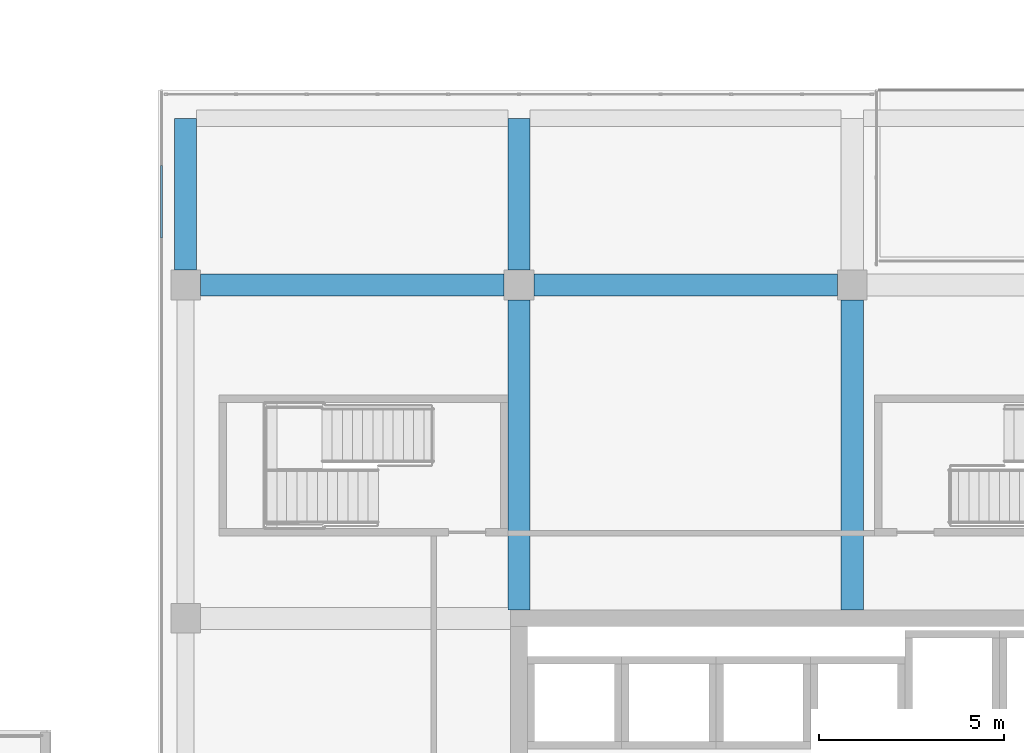
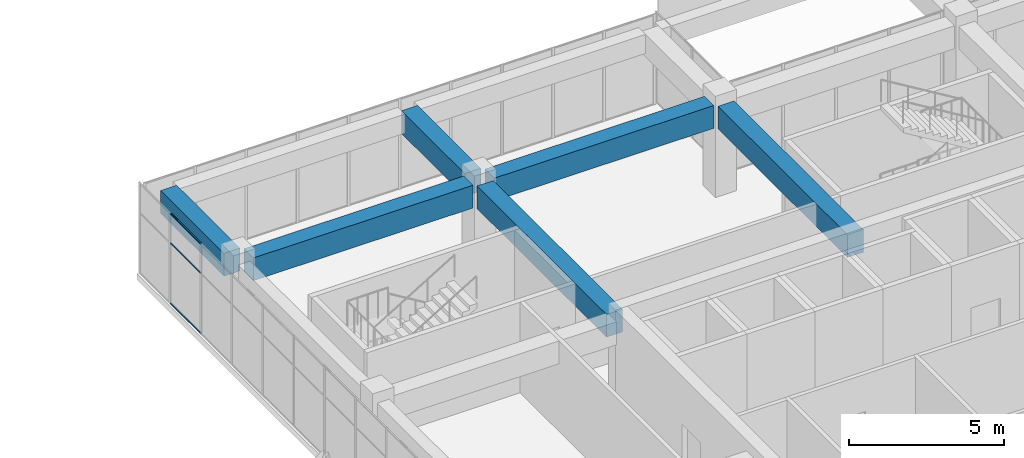
# One storey, part 38 of 72: 6 beams, 3 members, 1 element without a shape of its own.
"""IFC4 building model written with IfcOpenShell, lengths in metres."""

import ifcopenshell
import ifcopenshell.guid

model = None  # the IFC model being written
_history = None  # IfcOwnerHistory: only IFC2X3 demands one
_inside = {}  # id of a spatial element -> (the spatial element, [elements in it])
_under = {}  # id of a project, library or spatial element -> (it, [spatial elements below it])
_declared = {}  # id of a project -> (the project, [libraries it declares])
_typed = {}  # id of a type object -> (the type object, [elements of that type])
_made_of = {}  # id of a material, layer set ... -> (it, [elements and type objects made of it])


def new_model(schema):
    """Start an empty IFC model of exactly this schema.

    Asked for "IFC4X3", IfcOpenShell would pick the latest addendum, in which some entities
    have other attributes; the version numbers below select the first issue.
    IFC2X3 requires an IfcOwnerHistory on every rooted entity: one is made here for all.
    """
    global model, _history
    if schema == "IFC4X3":
        model = ifcopenshell.file(schema_version=(4, 3, 0, 0))
    else:
        model = ifcopenshell.file(schema=schema)
    _inside.clear()
    _under.clear()
    _declared.clear()
    _typed.clear()
    _made_of.clear()
    _history = None
    if model.schema == "IFC2X3":
        org = make("IfcOrganization", Name="unknown")
        user = make(
            "IfcPersonAndOrganization",
            ThePerson=make("IfcPerson", FamilyName="unknown"),
            TheOrganization=org,
        )
        app = make(
            "IfcApplication",
            ApplicationDeveloper=org,
            Version="unknown",
            ApplicationFullName="unknown",
            ApplicationIdentifier="unknown",
        )
        _history = make(
            "IfcOwnerHistory",
            OwningUser=user,
            OwningApplication=app,
            ChangeAction="ADDED",
            CreationDate=0,
        )
    return model


def make(cls, **values):
    """One entity of the class cls with the attributes given. An attribute that is None is left unset."""
    return model.create_entity(
        cls, **{name: value for name, value in values.items() if value is not None}
    )


def rooted(cls, **values):
    """An entity with a GlobalId (a new one), such as an element, a storey or a relation."""
    return make(cls, GlobalId=ifcopenshell.guid.new(), OwnerHistory=_history, **values)


def si_unit(unit_type, name, prefix=None):
    """IfcSIUnit, for example si_unit("LENGTHUNIT", "METRE", prefix="MILLI")."""
    return make("IfcSIUnit", UnitType=unit_type, Prefix=prefix, Name=name)


def assignment(units):
    """IfcUnitAssignment: the units of a project."""
    return None if units is None else make("IfcUnitAssignment", Units=units)


def point(xyz):
    """IfcCartesianPoint."""
    return None if xyz is None else make("IfcCartesianPoint", Coordinates=xyz)


def direction(xyz):
    """IfcDirection."""
    return None if xyz is None else make("IfcDirection", DirectionRatios=xyz)


def frame(location, z_axis=None, x_axis=None):
    """IfcAxis2Placement3D, a coordinate frame: its origin and axes. An axis left out is left unset."""
    return make(
        "IfcAxis2Placement3D",
        Location=point(location),
        Axis=direction(z_axis),
        RefDirection=direction(x_axis),
    )


def frame_2d(location, x_axis=None):
    """IfcAxis2Placement2D, a coordinate frame in the plane: its origin and x axis."""
    return make(
        "IfcAxis2Placement2D", Location=point(location), RefDirection=direction(x_axis)
    )


def origin():
    """The frame at (0, 0, 0) with its axes left unset."""
    return frame((0.0, 0.0, 0.0))


def origin_2d():
    """The frame at (0, 0) in the plane with its x axis left unset."""
    return frame_2d((0.0, 0.0))


def place(relative_to, where):
    """IfcLocalPlacement: puts the frame where relative to a parent placement (None: the world)."""
    return make(
        "IfcLocalPlacement", PlacementRelTo=relative_to, RelativePlacement=where
    )


def context(
    kind, dimensions, precision=None, world=None, true_north=None, identifier=None
):
    """IfcGeometricRepresentationContext, for example the 3D "Model" context."""
    return make(
        "IfcGeometricRepresentationContext",
        ContextIdentifier=identifier,
        ContextType=kind,
        CoordinateSpaceDimension=dimensions,
        Precision=precision,
        WorldCoordinateSystem=world,
        TrueNorth=true_north,
    )


def subcontext(parent, identifier, kind, view, scale=None):
    """IfcGeometricRepresentationSubContext, for example "Body" below "Model"."""
    return make(
        "IfcGeometricRepresentationSubContext",
        ContextIdentifier=identifier,
        ContextType=kind,
        ParentContext=parent,
        TargetScale=scale,
        TargetView=view,
    )


def project(units=None, contexts=None):
    """IfcProject with its units and contexts."""
    return rooted(
        "IfcProject",
        Name="project",
        RepresentationContexts=contexts,
        UnitsInContext=assignment(units),
    )


def spatial(cls, under=None, at=None, **own):
    """A site, building, storey or space (cls), placed at a placement, below another one or the project."""
    s = rooted(cls, ObjectPlacement=at, **own)
    if under is not None:
        _under.setdefault(under.id(), (under, []))[1].append(s)
    return s


def profile(cls, at=None, kind="AREA", **sizes):
    """A parametric profile (cls). Its sizes go by their IFC names, for example OverallWidth=200.0."""
    return make(cls, ProfileType=kind, Position=at, **sizes)


def rectangle(**sizes):
    """IfcRectangleProfileDef."""
    return profile("IfcRectangleProfileDef", **sizes)


def hollow_rectangle(**sizes):
    """IfcRectangleHollowProfileDef."""
    return profile("IfcRectangleHollowProfileDef", **sizes)


def extrude(swept, where, along, depth):
    """IfcExtrudedAreaSolid: the profile swept, set in the frame where, extruded along a direction by depth."""
    return make(
        "IfcExtrudedAreaSolid",
        SweptArea=swept,
        Position=where,
        ExtrudedDirection=direction(along),
        Depth=depth,
    )


def shape(context_of_items, identifier, shape_type, items):
    """IfcShapeRepresentation: the items that make up one representation, for example the "Body"."""
    return make(
        "IfcShapeRepresentation",
        ContextOfItems=context_of_items,
        RepresentationIdentifier=identifier,
        RepresentationType=shape_type,
        Items=items,
    )


def material(Name=None, Category=None):
    """IfcMaterial."""
    return make("IfcMaterial", Name=Name, Category=Category)


def layer(
    of_material, thickness, ventilated=None, Name=None, Category=None, Priority=None
):
    """IfcMaterialLayer: one layer of a wall or slab, of a material (None: an air gap)."""
    return make(
        "IfcMaterialLayer",
        Material=of_material,
        LayerThickness=thickness,
        IsVentilated=ventilated,
        Name=Name,
        Category=Category,
        Priority=Priority,
    )


def layer_set(layers, Name=None):
    """IfcMaterialLayerSet."""
    return make("IfcMaterialLayerSet", MaterialLayers=layers, LayerSetName=Name)


def material_profile(
    of_material, cross_section, Name=None, Category=None, Priority=None
):
    """IfcMaterialProfile: a cross section and its material."""
    return make(
        "IfcMaterialProfile",
        Name=Name,
        Material=of_material,
        Profile=cross_section,
        Priority=Priority,
        Category=Category,
    )


def profile_set(profiles, Name=None, composite=None):
    """IfcMaterialProfileSet."""
    return make(
        "IfcMaterialProfileSet",
        Name=Name,
        MaterialProfiles=profiles,
        CompositeProfile=composite,
    )


def made_of(thing, what):
    """Note that an element or type object is made of a material, layer set ...; save() writes the relation."""
    if what is not None:
        _made_of.setdefault(what.id(), (what, []))[1].append(thing)
    return thing


def type_object(cls, material=None, **own):
    """A type object (cls), such as IfcWallType, which elements share."""
    return made_of(rooted(cls, **own), material)


def element(
    cls,
    number,
    at=None,
    inside=None,
    cuts=None,
    type_object=None,
    material=None,
    context=None,
    identifier="Body",
    shape_type=None,
    held_by="IfcProductDefinitionShape",
    body=None,
    shapes=None,
    **own,
):
    """One element of the class cls, such as IfcWall. Its Tag is "e" and its number.

    at: its placement. inside: the storey or other place that contains it. cuts: it is an
    opening in that element (IfcRelVoidsElement). A single representation is given by context,
    identifier, shape_type and body (its items); several are given by shapes. held_by: the class
    of the entity that holds the representations. save() writes the other relations.
    """
    e = rooted(cls, Tag="e%d" % number, ObjectPlacement=at, **own)
    if body is not None:
        shapes = [shape(context, identifier, shape_type, body)]
    if shapes is not None:
        e.Representation = make(held_by, Representations=shapes)
    if inside is not None:
        _inside.setdefault(inside.id(), (inside, []))[1].append(e)
    if cuts is not None:
        rooted(
            "IfcRelVoidsElement", RelatingBuildingElement=cuts, RelatedOpeningElement=e
        )
    if type_object is not None:
        _typed.setdefault(type_object.id(), (type_object, []))[1].append(e)
    return made_of(e, material)


def aggregate(whole, parts):
    """IfcRelAggregates: a whole, such as a stair, and the parts it consists of."""
    return rooted("IfcRelAggregates", RelatingObject=whole, RelatedObjects=parts)


def save(model, path):
    """Write the relations noted so far, then the file.

    IfcRelAggregates (storeys below a building ...), IfcRelContainedInSpatialStructure (elements
    in a storey), IfcRelDefinesByType, IfcRelAssociatesMaterial and IfcRelDeclares: one each for
    every whole, place, type object, material and project.
    """
    for whole, parts in _under.values():
        aggregate(whole, parts)
    for where, things in _inside.values():
        rooted(
            "IfcRelContainedInSpatialStructure",
            RelatedElements=things,
            RelatingStructure=where,
        )
    for kind, things in _typed.values():
        rooted("IfcRelDefinesByType", RelatedObjects=things, RelatingType=kind)
    for what, things in _made_of.values():
        rooted("IfcRelAssociatesMaterial", RelatedObjects=things, RelatingMaterial=what)
    for by, libraries in _declared.values():
        rooted("IfcRelDeclares", RelatingContext=by, RelatedDefinitions=libraries)
    model.write(path)


model = new_model("IFC4")

# Units and contexts
model_context = context("Model", 3, precision=1e-05, world=origin(), true_north=direction((0.0, 1.0)))
body_context = subcontext(model_context, "Body", "Model", "MODEL_VIEW")
ifc_project = project(units=[si_unit("LENGTHUNIT", "METRE"), si_unit("AREAUNIT", "SQUARE_METRE"), si_unit("VOLUMEUNIT", "CUBIC_METRE"), si_unit("PLANEANGLEUNIT", "RADIAN"), si_unit("MASSUNIT", "GRAM", prefix="KILO")], contexts=[model_context])

# Site, building, storey
site_placement = place(None, origin())
site = spatial("IfcSite", under=ifc_project, at=site_placement, CompositionType="ELEMENT")
building_placement = place(site_placement, origin())
building = spatial("IfcBuilding", under=site, at=building_placement, Name="Tuart Plaza Theatre", CompositionType="ELEMENT")
storey_placement = place(building_placement, frame((0.0, 0.0, 13.5)))
storey = spatial("IfcBuildingStorey", under=building, at=storey_placement, Name="L03", CompositionType="ELEMENT", Elevation=13.5)

# Beams
ifc_material_1 = material(Name="Concrete N40 (40 MPa)", Category="concrete")
ifc_material_profile_1 = material_profile(ifc_material_1, rectangle(XDim=0.60009765625, YDim=0.89990234375, at=origin_2d()), Name="BEAM 600x900 Concrete N40 (40 MPa)")
ifc_profile_set_1 = profile_set([ifc_material_profile_1], Name="Concrete N40 (40 MPa)")
beam_type = type_object("IfcBeamType", Name="BEAM 600x900 Concrete N40 (40 MPa)", PredefinedType="BEAM", material=ifc_profile_set_1)
beam_1_placement = place(storey_placement, frame((114.0, 92.39990234375, 3.1298828125), z_axis=(0.0, 1.0, 0.0), x_axis=(-1.0, 0.0, 0.0)))
element("IfcBeam", 1, at=beam_1_placement, inside=storey, type_object=beam_type, Name="RB170", PredefinedType="BEAM", context=body_context, shape_type="SweptSolid", body=[
    extrude(rectangle(XDim=0.60009765625, YDim=0.89990234375, at=origin_2d()), origin(), (0.0, 0.0, 1.0), 4.10009765625),
])
beam_2_placement = place(storey_placement, frame((114.39990234375, 92.0, 3.1298828125), z_axis=(1.0, 0.0, 0.0), x_axis=(0.0, 1.0, 0.0)))
element("IfcBeam", 2, at=beam_2_placement, inside=storey, type_object=beam_type, Name="RB171", PredefinedType="BEAM", context=body_context, shape_type="SweptSolid", body=[
    extrude(rectangle(XDim=0.60009765625, YDim=0.89990234375, at=origin_2d()), origin(), (0.0, 0.0, 1.0), 8.2001953125),
])
beam_3_placement = place(storey_placement, frame((123.0, 83.22509765625, 3.1298828125), z_axis=(0.0, 1.0, 0.0), x_axis=(-1.0, 0.0, 0.0)))
element("IfcBeam", 3, at=beam_3_placement, inside=storey, type_object=beam_type, Name="RB177", PredefinedType="BEAM", context=body_context, shape_type="SweptSolid", body=[
    extrude(rectangle(XDim=0.60009765625, YDim=0.89990234375, at=origin_2d()), origin(), (0.0, 0.0, 1.0), 8.375),
])
beam_4_placement = place(storey_placement, frame((123.0, 92.39990234375, 3.1298828125), z_axis=(0.0, 1.0, 0.0), x_axis=(-1.0, 0.0, 0.0)))
element("IfcBeam", 4, at=beam_4_placement, inside=storey, type_object=beam_type, Name="RB178", PredefinedType="BEAM", context=body_context, shape_type="SweptSolid", body=[
    extrude(rectangle(XDim=0.60009765625, YDim=0.89990234375, at=origin_2d()), origin(), (0.0, 0.0, 1.0), 4.10009765625),
])
beam_5_placement = place(storey_placement, frame((123.39990234375, 92.0, 3.1298828125), z_axis=(1.0, 0.0, 0.0), x_axis=(0.0, 1.0, 0.0)))
element("IfcBeam", 5, at=beam_5_placement, inside=storey, type_object=beam_type, Name="RB179", PredefinedType="BEAM", context=body_context, shape_type="SweptSolid", body=[
    extrude(rectangle(XDim=0.60009765625, YDim=0.89990234375, at=origin_2d()), origin(), (0.0, 0.0, 1.0), 8.2001953125),
])
beam_6_placement = place(storey_placement, frame((132.0, 83.22509765625, 3.1298828125), z_axis=(0.0, 1.0, 0.0), x_axis=(-1.0, 0.0, 0.0)))
element("IfcBeam", 6, at=beam_6_placement, inside=storey, type_object=beam_type, Name="RB185", PredefinedType="BEAM", context=body_context, shape_type="SweptSolid", body=[
    extrude(rectangle(XDim=0.60009765625, YDim=0.89990234375, at=origin_2d()), origin(), (0.0, 0.0, 1.0), 8.375),
])

# Curtain wall, members
ifc_material_2 = material(Name="Aluminium and glass", Category="aluminium")
ifc_layer = layer(ifc_material_2, 0.10009765625)
ifc_layer_set = layer_set([ifc_layer], Name="CURTAIN WALL 2000 module")
curtain_wall_type = type_object("IfcCurtainWallType", Name="CURTAIN WALL 2000 module", PredefinedType="NOTDEFINED", material=ifc_layer_set)
curtain_wall_placement = place(storey_placement, origin())
curtain_wall = element("IfcCurtainWall", 7, at=curtain_wall_placement, inside=storey, type_object=curtain_wall_type, Name="CW73", PredefinedType="NOTDEFINED")
ifc_material_3 = material(Name="Aluminium 6063-T5", Category="aluminium")
ifc_material_profile_2 = material_profile(ifc_material_3, hollow_rectangle(XDim=0.050048828125, YDim=0.050048828125, WallThickness=0.00390625, InnerFilletRadius=0.00390625, OuterFilletRadius=0.008056640625, at=origin_2d()), Name="RHS 50x50x4")
ifc_profile_set_2 = profile_set([ifc_material_profile_2], Name="Aluminium 6063-T5")
member_type = type_object("IfcMemberType", Name="TRANSOM RHS 50x50x4", PredefinedType="USERDEFINED", material=ifc_profile_set_2)
member_1_placement = place(storey_placement, frame((113.35009765625, 95.22509765625, 0.02490234375), z_axis=(0.0, -1.0, 0.0), x_axis=(1.0, 0.0, 0.0)))
member_1 = element("IfcMember", 8, at=member_1_placement, type_object=member_type, Name="CW73 transom 2.1", ObjectType="TRANSOM", PredefinedType="USERDEFINED", context=body_context, shape_type="SweptSolid", body=[
    extrude(hollow_rectangle(XDim=0.050048828125, YDim=0.050048828125, WallThickness=0.00390625, InnerFilletRadius=0.00390625, OuterFilletRadius=0.008056640625, at=origin_2d()), origin(), (0.0, 0.0, 1.0), 1.9501953125),
])
member_2_placement = place(storey_placement, frame((113.35009765625, 95.22509765625, 2.39990234375), z_axis=(0.0, -1.0, 0.0), x_axis=(1.0, 0.0, 0.0)))
member_2 = element("IfcMember", 9, at=member_2_placement, type_object=member_type, Name="CW73 transom 2.2", ObjectType="TRANSOM", PredefinedType="USERDEFINED", context=body_context, shape_type="SweptSolid", body=[
    extrude(hollow_rectangle(XDim=0.050048828125, YDim=0.050048828125, WallThickness=0.00390625, InnerFilletRadius=0.00390625, OuterFilletRadius=0.008056640625, at=origin_2d()), origin(), (0.0, 0.0, 1.0), 1.9501953125),
])
member_3_placement = place(storey_placement, frame((113.35009765625, 95.22509765625, 3.554931640625), z_axis=(0.0, -1.0, 0.0), x_axis=(1.0, 0.0, 0.0)))
member_3 = element("IfcMember", 10, at=member_3_placement, type_object=member_type, Name="CW73 transom 2.3", ObjectType="TRANSOM", PredefinedType="USERDEFINED", context=body_context, shape_type="SweptSolid", body=[
    extrude(hollow_rectangle(XDim=0.050048828125, YDim=0.050048828125, WallThickness=0.00390625, InnerFilletRadius=0.00390625, OuterFilletRadius=0.008056640625, at=origin_2d()), origin(), (0.0, 0.0, 1.0), 1.9501953125),
])
aggregate(curtain_wall, [member_1, member_2, member_3])

save(model, "model.ifc")
